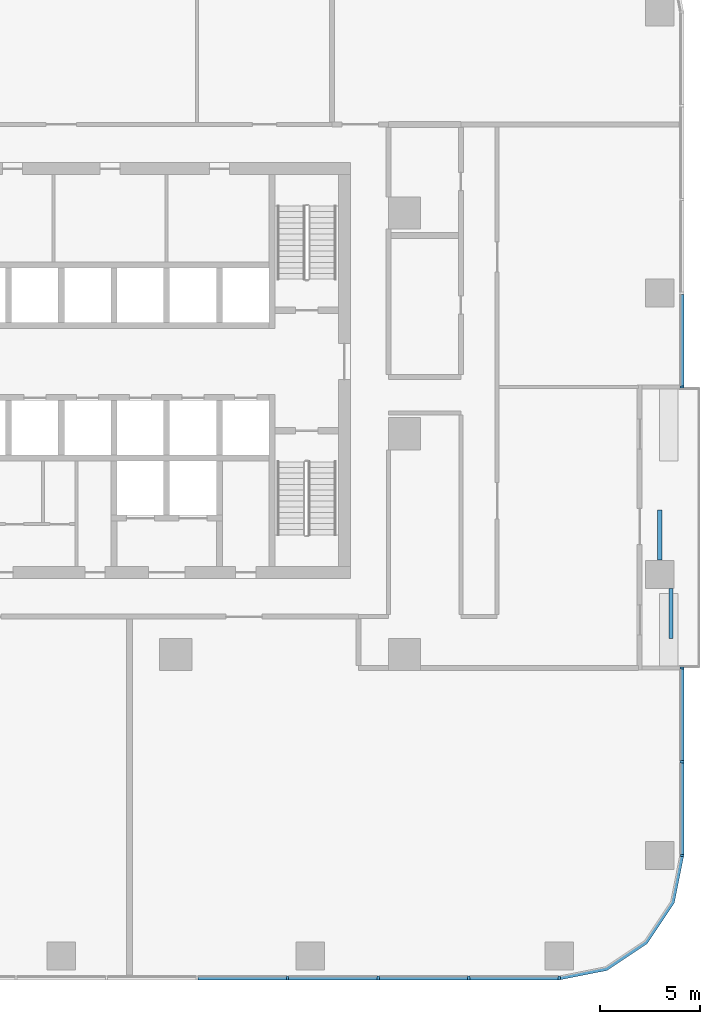
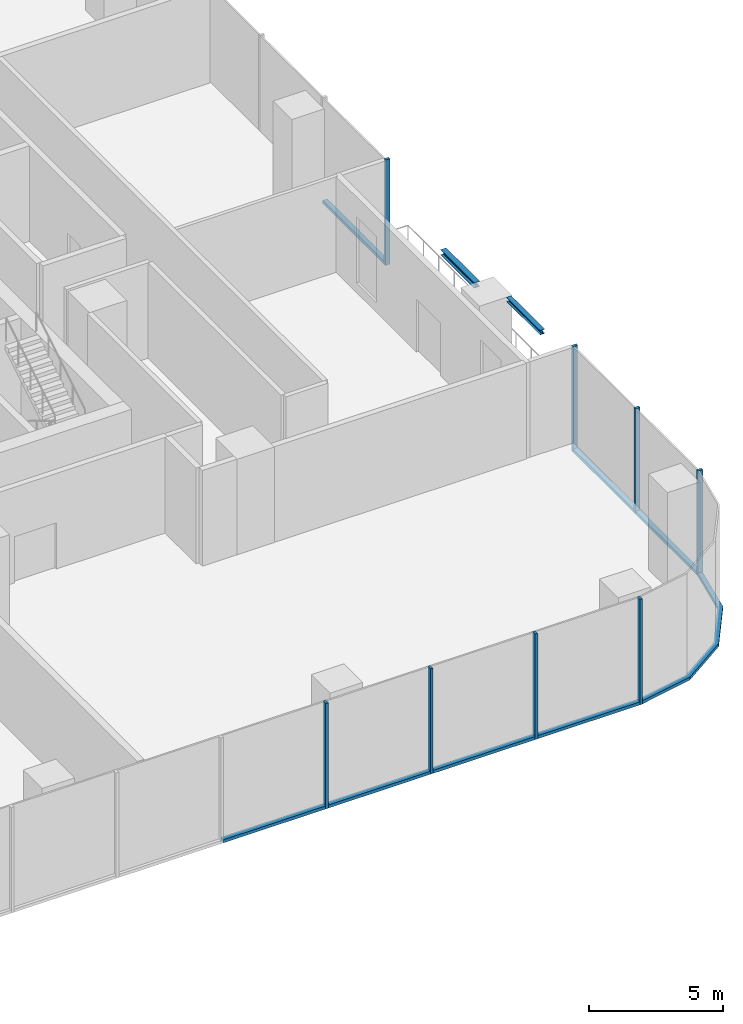
# One storey, part 3 of 14: 16 members, 2 beams, 4 elements without a shape of their own.
"""IFC4 building model written with IfcOpenShell, lengths in metres."""

from ifc_helpers import new_model, si_unit, direction, frame, origin, origin_2d, place, context, subcontext, project, spatial, polyline, rectangle, i_section, outline, extrude, material, material_profile, profile_set, type_object, element, aggregate, save


model = new_model("IFC4")

# Units and contexts
model_context = context("Model", 3, precision=1e-05, world=origin(), true_north=direction((0.0, 1.0)))
body_context = subcontext(model_context, "Body", "Model", "MODEL_VIEW")
ifc_project = project(units=[si_unit("LENGTHUNIT", "METRE"), si_unit("AREAUNIT", "SQUARE_METRE"), si_unit("VOLUMEUNIT", "CUBIC_METRE"), si_unit("PLANEANGLEUNIT", "RADIAN"), si_unit("MASSUNIT", "GRAM", prefix="KILO")], contexts=[model_context])

# Site, building, storey
site_placement = place(None, origin())
site = spatial("IfcSite", under=ifc_project, at=site_placement, CompositionType="ELEMENT")
building_placement = place(site_placement, origin())
building = spatial("IfcBuilding", under=site, at=building_placement, Name="Mopane Tessera Tower", CompositionType="ELEMENT")
storey_placement = place(building_placement, frame((0.0, 0.0, 40.60009765625)))
storey = spatial("IfcBuildingStorey", under=building, at=storey_placement, Name="L07", CompositionType="ELEMENT", Elevation=40.60009765625)

# Curtain wall, members
ifc_material_1 = material(Name="Aluminium frame", Category="aluminium")
curtain_wall_type = type_object("IfcCurtainWallType", Name="Lower tower unitised wall", PredefinedType="NOTDEFINED", material=ifc_material_1)
curtain_wall_1_placement = place(storey_placement, origin())
curtain_wall_1 = element("IfcCurtainWall", 1, at=curtain_wall_1_placement, inside=storey, type_object=curtain_wall_type, Name="e:cw:L07:S:0", PredefinedType="NOTDEFINED")
ifc_material_2 = material(Name="Aluminium frame", Category="aluminium")
ifc_material_profile_1 = material_profile(ifc_material_2, rectangle(XDim=0.110107421875, YDim=0.199951171875, at=origin_2d()))
ifc_profile_set_1 = profile_set([ifc_material_profile_1], Name="Aluminium frame")
member_type_1 = type_object("IfcMemberType", Name="Aluminium mullion 110 x 200", PredefinedType="MULLION", material=ifc_profile_set_1)
member_1_placement = place(storey_placement, frame((11.272705078125, -27.10009765625, -0.4501953125), z_axis=(0.0, 0.0, 1.0), x_axis=(1.0, 0.0, 0.0)))
member_1 = element("IfcMember", 2, at=member_1_placement, type_object=member_type_1, Name="e:cw:L07:S:0:mu8", PredefinedType="MULLION", context=body_context, shape_type="SweptSolid", body=[
    extrude(rectangle(XDim=0.110107421875, YDim=0.199951171875, at=origin_2d()), origin(), (0.0, 0.0, 1.0), 4.800048828125),
])
member_2_placement = place(storey_placement, frame((15.78173828125, -27.10009765625, -0.4501953125), z_axis=(0.0, 0.0, 1.0), x_axis=(1.0, 0.0, 0.0)))
member_2 = element("IfcMember", 3, at=member_2_placement, type_object=member_type_1, Name="e:cw:L07:S:0:mu9", PredefinedType="MULLION", context=body_context, shape_type="SweptSolid", body=[
    extrude(rectangle(XDim=0.110107421875, YDim=0.199951171875, at=origin_2d()), origin(), (0.0, 0.0, 1.0), 4.800048828125),
])
member_3_placement = place(storey_placement, frame((20.291015625, -27.10009765625, -0.4501953125), z_axis=(0.0, 0.0, 1.0), x_axis=(1.0, 0.0, 0.0)))
member_3 = element("IfcMember", 4, at=member_3_placement, type_object=member_type_1, Name="e:cw:L07:S:0:mu10", PredefinedType="MULLION", context=body_context, shape_type="SweptSolid", body=[
    extrude(rectangle(XDim=0.110107421875, YDim=0.199951171875, at=origin_2d()), origin(), (0.0, 0.0, 1.0), 4.800048828125),
])
member_4_placement = place(storey_placement, frame((24.800048828125, -27.10009765625, -0.4501953125), z_axis=(0.0, 0.0, 1.0), x_axis=(1.0, 0.0, 0.0)))
member_4 = element("IfcMember", 5, at=member_4_placement, type_object=member_type_1, Name="e:cw:L07:S:0:mu11", PredefinedType="MULLION", context=body_context, shape_type="SweptSolid", body=[
    extrude(rectangle(XDim=0.110107421875, YDim=0.199951171875, at=origin_2d()), origin(), (0.0, 0.0, 1.0), 4.800048828125),
])

curtain_wall_2_placement = place(storey_placement, origin())
curtain_wall_2 = element("IfcCurtainWall", 6, at=curtain_wall_2_placement, inside=storey, type_object=curtain_wall_type, Name="e:cw:L07:E:0", PredefinedType="NOTDEFINED")
member_5_placement = place(storey_placement, frame((30.89990234375, -21.0, -0.4501953125), z_axis=(0.0, 0.0, 1.0), x_axis=(0.0, 1.0, 0.0)))
member_5 = element("IfcMember", 7, at=member_5_placement, type_object=member_type_1, Name="e:cw:L07:E:0:mu0", PredefinedType="MULLION", context=body_context, shape_type="SweptSolid", body=[
    extrude(rectangle(XDim=0.110107421875, YDim=0.199951171875, at=origin_2d()), origin(), (0.0, 0.0, 1.0), 4.800048828125),
])
member_6_placement = place(storey_placement, frame((30.89990234375, -16.333251953125, -0.4501953125), z_axis=(0.0, 0.0, 1.0), x_axis=(0.0, 1.0, 0.0)))
member_6 = element("IfcMember", 8, at=member_6_placement, type_object=member_type_1, Name="e:cw:L07:E:0:mu1", PredefinedType="MULLION", context=body_context, shape_type="SweptSolid", body=[
    extrude(rectangle(XDim=0.110107421875, YDim=0.199951171875, at=origin_2d()), origin(), (0.0, 0.0, 1.0), 4.800048828125),
])
member_7_placement = place(storey_placement, frame((30.89990234375, -11.666748046875, -0.4501953125), z_axis=(0.0, 0.0, 1.0), x_axis=(0.0, 1.0, 0.0)))
member_7 = element("IfcMember", 9, at=member_7_placement, type_object=member_type_1, Name="e:cw:L07:E:0:mu2", PredefinedType="MULLION", context=body_context, shape_type="SweptSolid", body=[
    extrude(rectangle(XDim=0.110107421875, YDim=0.199951171875, at=origin_2d()), origin(), (0.0, 0.0, 1.0), 4.800048828125),
])

# Curtain wall, member
curtain_wall_3_placement = place(storey_placement, origin())
curtain_wall_3 = element("IfcCurtainWall", 10, at=curtain_wall_3_placement, inside=storey, type_object=curtain_wall_type, Name="e:cw:L07:E:5", PredefinedType="NOTDEFINED")
member_8_placement = place(storey_placement, frame((30.89990234375, 2.333251953125, -0.4501953125), z_axis=(0.0, 0.0, 1.0), x_axis=(0.0, 1.0, 0.0)))
member_8 = element("IfcMember", 11, at=member_8_placement, type_object=member_type_1, Name="e:cw:L07:E:5:mu5", PredefinedType="MULLION", context=body_context, shape_type="SweptSolid", body=[
    extrude(rectangle(XDim=0.110107421875, YDim=0.199951171875, at=origin_2d()), origin(), (0.0, 0.0, 1.0), 4.800048828125),
])

# Member
ifc_material_3 = material(Name="Aluminium frame", Category="aluminium")
ifc_material_profile_2 = material_profile(ifc_material_3, rectangle(XDim=0.199951171875, YDim=0.139892578125, at=origin_2d()))
ifc_profile_set_2 = profile_set([ifc_material_profile_2], Name="Aluminium frame")
member_type_2 = type_object("IfcMemberType", Name="Aluminium transom 200 x 140", PredefinedType="USERDEFINED", material=ifc_profile_set_2)
member_9_placement = place(storey_placement, frame((6.818603515625, -27.10009765625, -0.380126953125), z_axis=(1.0, 0.0, 0.0), x_axis=(0.0, 1.0, 0.0)))
member_9 = element("IfcMember", 12, at=member_9_placement, type_object=member_type_2, Name="e:cw:L07:S:0:tr7", ObjectType="TRANSOM", PredefinedType="USERDEFINED", context=body_context, shape_type="SweptSolid", body=[
    extrude(rectangle(XDim=0.199951171875, YDim=0.139892578125, at=origin_2d()), origin(), (0.0, 0.0, 1.0), 4.399169921875),
])

member_10_placement = place(storey_placement, frame((11.32763671875, -27.10009765625, -0.380126953125), z_axis=(1.0, 0.0, 0.0), x_axis=(0.0, 1.0, 0.0)))
member_10 = element("IfcMember", 13, at=member_10_placement, type_object=member_type_2, Name="e:cw:L07:S:0:tr8", ObjectType="TRANSOM", PredefinedType="USERDEFINED", context=body_context, shape_type="SweptSolid", body=[
    extrude(rectangle(XDim=0.199951171875, YDim=0.139892578125, at=origin_2d()), origin(), (0.0, 0.0, 1.0), 4.399169921875),
])

member_11_placement = place(storey_placement, frame((15.8369140625, -27.10009765625, -0.380126953125), z_axis=(1.0, 0.0, 0.0), x_axis=(0.0, 1.0, 0.0)))
member_11 = element("IfcMember", 14, at=member_11_placement, type_object=member_type_2, Name="e:cw:L07:S:0:tr9", ObjectType="TRANSOM", PredefinedType="USERDEFINED", context=body_context, shape_type="SweptSolid", body=[
    extrude(rectangle(XDim=0.199951171875, YDim=0.139892578125, at=origin_2d()), origin(), (0.0, 0.0, 1.0), 4.39892578125),
])

member_12_placement = place(storey_placement, frame((20.345947265625, -27.10009765625, -0.380126953125), z_axis=(1.0, 0.0, 0.0), x_axis=(0.0, 1.0, 0.0)))
member_12 = element("IfcMember", 15, at=member_12_placement, type_object=member_type_2, Name="e:cw:L07:S:0:tr10", ObjectType="TRANSOM", PredefinedType="USERDEFINED", context=body_context, shape_type="SweptSolid", body=[
    extrude(rectangle(XDim=0.199951171875, YDim=0.139892578125, at=origin_2d()), origin(), (0.0, 0.0, 1.0), 4.399169921875),
])

aggregate(curtain_wall_1, [member_1, member_2, member_3, member_4, member_9, member_10, member_11, member_12])

# Curtain wall, member
curtain_wall_4_placement = place(storey_placement, origin())
curtain_wall_4 = element("IfcCurtainWall", 16, at=curtain_wall_4_placement, inside=storey, type_object=curtain_wall_type, Name="e:cw:L07:CS", PredefinedType="NOTDEFINED")
member_13_placement = place(storey_placement, frame((0.0, 0.0, -0.4501953125)))
member_13 = element("IfcMember", 17, at=member_13_placement, type_object=member_type_2, Name="e:cw:L07:CS:tr", ObjectType="TRANSOM", PredefinedType="USERDEFINED", context=body_context, shape_type="SweptSolid", body=[
    extrude(outline(polyline([(24.800048828125, -27.0), (27.09619140625, -26.543212890625), (29.042724609375, -25.24267578125), (30.34326171875, -23.296142578125), (30.800048828125, -21.0), (31.0, -21.0), (30.528076171875, -23.37255859375), (29.18408203125, -25.384033203125), (27.172607421875, -26.72802734375), (24.800048828125, -27.199951171875), (24.800048828125, -27.0)])), origin(), (0.0, 0.0, 1.0), 0.14013671875),
])
aggregate(curtain_wall_4, [member_13])

# Member
member_14_placement = place(storey_placement, frame((30.89990234375, -20.945068359375, -0.380126953125), z_axis=(0.0, 1.0, 0.0), x_axis=(-1.0, 0.0, 0.0)))
member_14 = element("IfcMember", 18, at=member_14_placement, type_object=member_type_2, Name="e:cw:L07:E:0:tr0", ObjectType="TRANSOM", PredefinedType="USERDEFINED", context=body_context, shape_type="SweptSolid", body=[
    extrude(rectangle(XDim=0.199951171875, YDim=0.139892578125, at=origin_2d()), origin(), (0.0, 0.0, 1.0), 4.556640625),
])

member_15_placement = place(storey_placement, frame((30.89990234375, -16.2783203125, -0.380126953125), z_axis=(0.0, 1.0, 0.0), x_axis=(-1.0, 0.0, 0.0)))
member_15 = element("IfcMember", 19, at=member_15_placement, type_object=member_type_2, Name="e:cw:L07:E:0:tr1", ObjectType="TRANSOM", PredefinedType="USERDEFINED", context=body_context, shape_type="SweptSolid", body=[
    extrude(rectangle(XDim=0.199951171875, YDim=0.139892578125, at=origin_2d()), origin(), (0.0, 0.0, 1.0), 4.556640625),
])

aggregate(curtain_wall_2, [member_5, member_6, member_7, member_14, member_15])

member_16_placement = place(storey_placement, frame((30.89990234375, 2.388427734375, -0.380126953125), z_axis=(0.0, 1.0, 0.0), x_axis=(-1.0, 0.0, 0.0)))
member_16 = element("IfcMember", 20, at=member_16_placement, type_object=member_type_2, Name="e:cw:L07:E:5:tr5", ObjectType="TRANSOM", PredefinedType="USERDEFINED", context=body_context, shape_type="SweptSolid", body=[
    extrude(rectangle(XDim=0.199951171875, YDim=0.139892578125, at=origin_2d()), origin(), (0.0, 0.0, 1.0), 4.556640625),
])

aggregate(curtain_wall_3, [member_8, member_16])

# Beams
ifc_material_4 = material(Name="Structural steel S460", Category="steel")
ifc_material_profile_3 = material_profile(ifc_material_4, i_section(OverallWidth=0.239990234375, OverallDepth=0.239990234375, WebThickness=0.010009765625, FlangeThickness=0.01708984375, FilletRadius=0.02099609375, at=origin_2d()))
ifc_profile_set_3 = profile_set([ifc_material_profile_3], Name="Structural steel S460")
beam_type_1 = type_object("IfcBeamType", Name="Terrace spandrel beam HE 240 B", PredefinedType="SPANDREL", material=ifc_profile_set_3)
beam_1_placement = place(storey_placement, frame((29.800048828125, -6.297119140625, 4.22998046875), z_axis=(0.0, 1.0, 0.0), x_axis=(-1.0, 0.0, 0.0)))
element("IfcBeam", 21, at=beam_1_placement, inside=storey, type_object=beam_type_1, Name="Terrace spandrel beam N1 L08", PredefinedType="SPANDREL", context=body_context, shape_type="SweptSolid", body=[
    extrude(i_section(OverallWidth=0.239990234375, OverallDepth=0.239990234375, WebThickness=0.010009765625, FlangeThickness=0.01708984375, FilletRadius=0.02099609375, at=origin_2d()), origin(), (0.0, 0.0, 1.0), 2.5),
])
ifc_material_5 = material(Name="Structural steel S460", Category="steel")
ifc_material_profile_4 = material_profile(ifc_material_5, i_section(OverallWidth=0.199951171875, OverallDepth=0.199951171875, WebThickness=0.009033203125, FlangeThickness=0.014892578125, FilletRadius=0.01806640625, at=origin_2d()))
ifc_profile_set_4 = profile_set([ifc_material_profile_4], Name="Structural steel S460")
beam_type_2 = type_object("IfcBeamType", Name="Terrace trimmer beam HE 200 B", PredefinedType="BEAM", material=ifc_profile_set_4)
beam_2_placement = place(storey_placement, frame((30.360107421875, -7.702880859375, 4.25), z_axis=(0.0, -1.0, 0.0), x_axis=(1.0, 0.0, 0.0)))
element("IfcBeam", 22, at=beam_2_placement, inside=storey, type_object=beam_type_2, Name="Terrace trimmer beam N1 L08", PredefinedType="BEAM", context=body_context, shape_type="SweptSolid", body=[
    extrude(i_section(OverallWidth=0.199951171875, OverallDepth=0.199951171875, WebThickness=0.009033203125, FlangeThickness=0.014892578125, FilletRadius=0.01806640625, at=origin_2d()), origin(), (0.0, 0.0, 1.0), 2.5),
])

save(model, "model.ifc")
